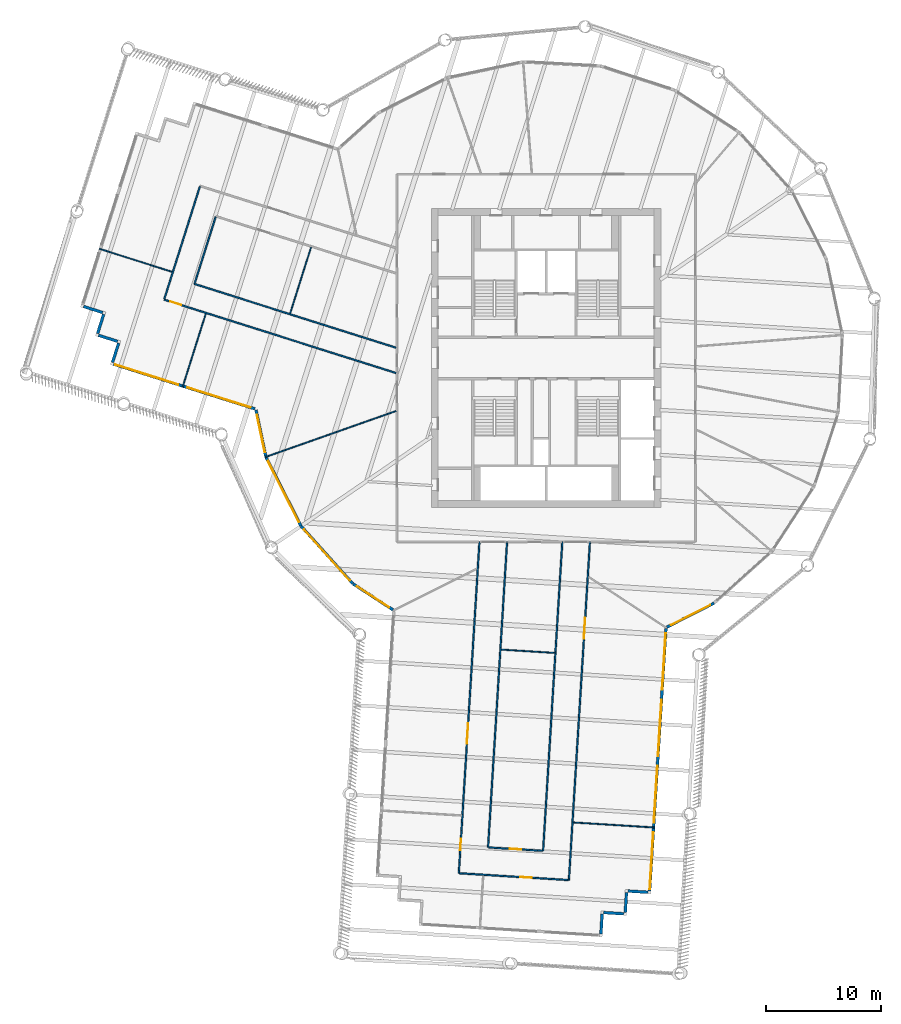
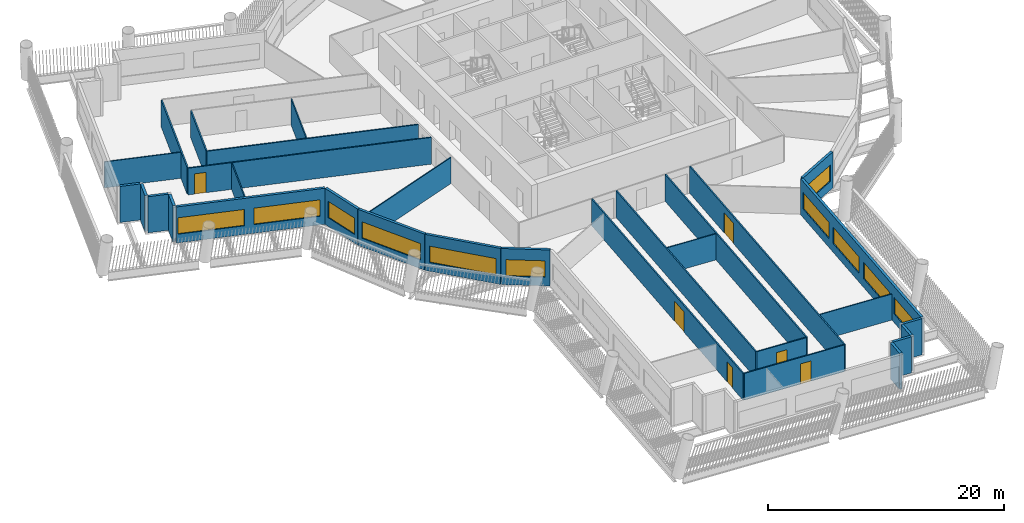
# One storey, part 3 of 15: 31 walls, 11 windows, 6 doors, 17 openings.
"""IFC4 building model written with IfcOpenShell, lengths in metres."""

import ifcopenshell
import ifcopenshell.guid

model = None  # the IFC model being written
_history = None  # IfcOwnerHistory: only IFC2X3 demands one
_inside = {}  # id of a spatial element -> (the spatial element, [elements in it])
_under = {}  # id of a project, library or spatial element -> (it, [spatial elements below it])
_declared = {}  # id of a project -> (the project, [libraries it declares])
_typed = {}  # id of a type object -> (the type object, [elements of that type])
_made_of = {}  # id of a material, layer set ... -> (it, [elements and type objects made of it])


def new_model(schema):
    """Start an empty IFC model of exactly this schema.

    Asked for "IFC4X3", IfcOpenShell would pick the latest addendum, in which some entities
    have other attributes; the version numbers below select the first issue.
    IFC2X3 requires an IfcOwnerHistory on every rooted entity: one is made here for all.
    """
    global model, _history
    if schema == "IFC4X3":
        model = ifcopenshell.file(schema_version=(4, 3, 0, 0))
    else:
        model = ifcopenshell.file(schema=schema)
    _inside.clear()
    _under.clear()
    _declared.clear()
    _typed.clear()
    _made_of.clear()
    _history = None
    if model.schema == "IFC2X3":
        org = make("IfcOrganization", Name="unknown")
        user = make(
            "IfcPersonAndOrganization",
            ThePerson=make("IfcPerson", FamilyName="unknown"),
            TheOrganization=org,
        )
        app = make(
            "IfcApplication",
            ApplicationDeveloper=org,
            Version="unknown",
            ApplicationFullName="unknown",
            ApplicationIdentifier="unknown",
        )
        _history = make(
            "IfcOwnerHistory",
            OwningUser=user,
            OwningApplication=app,
            ChangeAction="ADDED",
            CreationDate=0,
        )
    return model


def make(cls, **values):
    """One entity of the class cls with the attributes given. An attribute that is None is left unset."""
    return model.create_entity(
        cls, **{name: value for name, value in values.items() if value is not None}
    )


def rooted(cls, **values):
    """An entity with a GlobalId (a new one), such as an element, a storey or a relation."""
    return make(cls, GlobalId=ifcopenshell.guid.new(), OwnerHistory=_history, **values)


def si_unit(unit_type, name, prefix=None):
    """IfcSIUnit, for example si_unit("LENGTHUNIT", "METRE", prefix="MILLI")."""
    return make("IfcSIUnit", UnitType=unit_type, Prefix=prefix, Name=name)


def assignment(units):
    """IfcUnitAssignment: the units of a project."""
    return None if units is None else make("IfcUnitAssignment", Units=units)


def point(xyz):
    """IfcCartesianPoint."""
    return None if xyz is None else make("IfcCartesianPoint", Coordinates=xyz)


def direction(xyz):
    """IfcDirection."""
    return None if xyz is None else make("IfcDirection", DirectionRatios=xyz)


def frame(location, z_axis=None, x_axis=None):
    """IfcAxis2Placement3D, a coordinate frame: its origin and axes. An axis left out is left unset."""
    return make(
        "IfcAxis2Placement3D",
        Location=point(location),
        Axis=direction(z_axis),
        RefDirection=direction(x_axis),
    )


def frame_2d(location, x_axis=None):
    """IfcAxis2Placement2D, a coordinate frame in the plane: its origin and x axis."""
    return make(
        "IfcAxis2Placement2D", Location=point(location), RefDirection=direction(x_axis)
    )


def origin():
    """The frame at (0, 0, 0) with its axes left unset."""
    return frame((0.0, 0.0, 0.0))


def place(relative_to, where):
    """IfcLocalPlacement: puts the frame where relative to a parent placement (None: the world)."""
    return make(
        "IfcLocalPlacement", PlacementRelTo=relative_to, RelativePlacement=where
    )


def context(
    kind, dimensions, precision=None, world=None, true_north=None, identifier=None
):
    """IfcGeometricRepresentationContext, for example the 3D "Model" context."""
    return make(
        "IfcGeometricRepresentationContext",
        ContextIdentifier=identifier,
        ContextType=kind,
        CoordinateSpaceDimension=dimensions,
        Precision=precision,
        WorldCoordinateSystem=world,
        TrueNorth=true_north,
    )


def subcontext(parent, identifier, kind, view, scale=None):
    """IfcGeometricRepresentationSubContext, for example "Body" below "Model"."""
    return make(
        "IfcGeometricRepresentationSubContext",
        ContextIdentifier=identifier,
        ContextType=kind,
        ParentContext=parent,
        TargetScale=scale,
        TargetView=view,
    )


def project(units=None, contexts=None):
    """IfcProject with its units and contexts."""
    return rooted(
        "IfcProject",
        Name="project",
        RepresentationContexts=contexts,
        UnitsInContext=assignment(units),
    )


def spatial(cls, under=None, at=None, **own):
    """A site, building, storey or space (cls), placed at a placement, below another one or the project."""
    s = rooted(cls, ObjectPlacement=at, **own)
    if under is not None:
        _under.setdefault(under.id(), (under, []))[1].append(s)
    return s


def profile(cls, at=None, kind="AREA", **sizes):
    """A parametric profile (cls). Its sizes go by their IFC names, for example OverallWidth=200.0."""
    return make(cls, ProfileType=kind, Position=at, **sizes)


def rectangle(**sizes):
    """IfcRectangleProfileDef."""
    return profile("IfcRectangleProfileDef", **sizes)


def extrude(swept, where, along, depth):
    """IfcExtrudedAreaSolid: the profile swept, set in the frame where, extruded along a direction by depth."""
    return make(
        "IfcExtrudedAreaSolid",
        SweptArea=swept,
        Position=where,
        ExtrudedDirection=direction(along),
        Depth=depth,
    )


def shape(context_of_items, identifier, shape_type, items):
    """IfcShapeRepresentation: the items that make up one representation, for example the "Body"."""
    return make(
        "IfcShapeRepresentation",
        ContextOfItems=context_of_items,
        RepresentationIdentifier=identifier,
        RepresentationType=shape_type,
        Items=items,
    )


def material(Name=None, Category=None):
    """IfcMaterial."""
    return make("IfcMaterial", Name=Name, Category=Category)


def layer(
    of_material, thickness, ventilated=None, Name=None, Category=None, Priority=None
):
    """IfcMaterialLayer: one layer of a wall or slab, of a material (None: an air gap)."""
    return make(
        "IfcMaterialLayer",
        Material=of_material,
        LayerThickness=thickness,
        IsVentilated=ventilated,
        Name=Name,
        Category=Category,
        Priority=Priority,
    )


def layer_set(layers, Name=None):
    """IfcMaterialLayerSet."""
    return make("IfcMaterialLayerSet", MaterialLayers=layers, LayerSetName=Name)


def made_of(thing, what):
    """Note that an element or type object is made of a material, layer set ...; save() writes the relation."""
    if what is not None:
        _made_of.setdefault(what.id(), (what, []))[1].append(thing)
    return thing


def type_object(cls, material=None, **own):
    """A type object (cls), such as IfcWallType, which elements share."""
    return made_of(rooted(cls, **own), material)


def element(
    cls,
    number,
    at=None,
    inside=None,
    cuts=None,
    type_object=None,
    material=None,
    context=None,
    identifier="Body",
    shape_type=None,
    held_by="IfcProductDefinitionShape",
    body=None,
    shapes=None,
    **own,
):
    """One element of the class cls, such as IfcWall. Its Tag is "e" and its number.

    at: its placement. inside: the storey or other place that contains it. cuts: it is an
    opening in that element (IfcRelVoidsElement). A single representation is given by context,
    identifier, shape_type and body (its items); several are given by shapes. held_by: the class
    of the entity that holds the representations. save() writes the other relations.
    """
    e = rooted(cls, Tag="e%d" % number, ObjectPlacement=at, **own)
    if body is not None:
        shapes = [shape(context, identifier, shape_type, body)]
    if shapes is not None:
        e.Representation = make(held_by, Representations=shapes)
    if inside is not None:
        _inside.setdefault(inside.id(), (inside, []))[1].append(e)
    if cuts is not None:
        rooted(
            "IfcRelVoidsElement", RelatingBuildingElement=cuts, RelatedOpeningElement=e
        )
    if type_object is not None:
        _typed.setdefault(type_object.id(), (type_object, []))[1].append(e)
    return made_of(e, material)


def fill(opening, filler):
    """IfcRelFillsElement: the door or window that sits in an opening."""
    return rooted(
        "IfcRelFillsElement",
        RelatingOpeningElement=opening,
        RelatedBuildingElement=filler,
    )


def aggregate(whole, parts):
    """IfcRelAggregates: a whole, such as a stair, and the parts it consists of."""
    return rooted("IfcRelAggregates", RelatingObject=whole, RelatedObjects=parts)


def save(model, path):
    """Write the relations noted so far, then the file.

    IfcRelAggregates (storeys below a building ...), IfcRelContainedInSpatialStructure (elements
    in a storey), IfcRelDefinesByType, IfcRelAssociatesMaterial and IfcRelDeclares: one each for
    every whole, place, type object, material and project.
    """
    for whole, parts in _under.values():
        aggregate(whole, parts)
    for where, things in _inside.values():
        rooted(
            "IfcRelContainedInSpatialStructure",
            RelatedElements=things,
            RelatingStructure=where,
        )
    for kind, things in _typed.values():
        rooted("IfcRelDefinesByType", RelatedObjects=things, RelatingType=kind)
    for what, things in _made_of.values():
        rooted("IfcRelAssociatesMaterial", RelatedObjects=things, RelatingMaterial=what)
    for by, libraries in _declared.values():
        rooted("IfcRelDeclares", RelatingContext=by, RelatedDefinitions=libraries)
    model.write(path)


model = new_model("IFC4")

# Units and contexts
model_context = context("Model", 3, precision=1e-05, world=origin(), true_north=direction((0.0, 1.0)))
body_context = subcontext(model_context, "Body", "Model", "MODEL_VIEW")
ifc_project = project(units=[si_unit("LENGTHUNIT", "METRE"), si_unit("AREAUNIT", "SQUARE_METRE"), si_unit("VOLUMEUNIT", "CUBIC_METRE"), si_unit("PLANEANGLEUNIT", "RADIAN"), si_unit("MASSUNIT", "GRAM", prefix="KILO")], contexts=[model_context])

# Site, building, storey
site_placement = place(None, origin())
site = spatial("IfcSite", under=ifc_project, at=site_placement, CompositionType="ELEMENT")
building_placement = place(site_placement, origin())
building = spatial("IfcBuilding", under=site, at=building_placement, Name="Tarsis Ring Headquarters", CompositionType="ELEMENT")
storey_placement = place(building_placement, frame((0.0, 0.0, 212.10009765625)))
storey = spatial("IfcBuildingStorey", under=building, at=storey_placement, Name="L49", CompositionType="ELEMENT", Elevation=212.10009765625)

# Walls
ifc_material_1 = material(Name="Gypsum board on steel studs", Category="steel")
ifc_layer_1 = layer(ifc_material_1, 0.10009765625)
ifc_layer_set_1 = layer_set([ifc_layer_1], Name="FL partition 100 unrated")
wall_type_1 = type_object("IfcWallType", Name="FL partition 100 unrated", PredefinedType="PARTITIONING", material=ifc_layer_set_1)
wall_1_placement = place(storey_placement, frame((-24.468505859375, -8.635986328125, 0.0), z_axis=(0.0, 0.0, 1.0), x_axis=(0.942992571906, 0.332813775753, 0.0)))
element("IfcWall", 1, at=wall_1_placement, inside=storey, type_object=wall_type_1, Name="Partition PW3", PredefinedType="PARTITIONING", context=body_context, shape_type="SweptSolid", body=[
    extrude(rectangle(XDim=12.081787109375, YDim=0.10009765625, at=frame_2d((6.041015625, 0.0))), origin(), (0.0, 0.0, 1.0), 2.699951171875),
])
wall_2_placement = place(storey_placement, frame((2.36376953125, -40.434814453125, 0.0), z_axis=(0.0, 0.0, 1.0), x_axis=(0.99806971496, -0.062103494909, 0.0)))
element("IfcWall", 2, at=wall_2_placement, inside=storey, type_object=wall_type_1, Name="Partition PW3", PredefinedType="PARTITIONING", context=body_context, shape_type="SweptSolid", body=[
    extrude(rectangle(XDim=7.080078125, YDim=0.10009765625, at=frame_2d((3.5400390625, 0.0))), origin(), (0.0, 0.0, 1.0), 2.699951171875),
])
wall_3_placement = place(storey_placement, frame((-31.64501953125, -2.52001953125, 0.0), z_axis=(0.0, 0.0, 1.0), x_axis=(0.301728626373, 0.953393851473, 0.0)))
element("IfcWall", 3, at=wall_3_placement, inside=storey, type_object=wall_type_1, Name="Partition PW3", PredefinedType="PARTITIONING", context=body_context, shape_type="SweptSolid", body=[
    extrude(rectangle(XDim=6.68994140625, YDim=0.10009765625, at=frame_2d((3.344970703125, 0.0))), origin(), (0.0, 0.0, 1.0), 2.699951171875),
])
wall_4_placement = place(storey_placement, frame((-38.893798828125, 9.507568359375, 0.0), z_axis=(0.0, 0.0, 1.0), x_axis=(0.953393536482, -0.301729621673, 0.0)))
element("IfcWall", 4, at=wall_4_placement, inside=storey, type_object=wall_type_1, Name="Partition PW3", PredefinedType="PARTITIONING", context=body_context, shape_type="SweptSolid", body=[
    extrude(rectangle(XDim=6.639892578125, YDim=0.10009765625, at=frame_2d((3.31982421875, 0.0))), origin(), (0.0, 0.0, 1.0), 2.699951171875),
])
wall_5_placement = place(storey_placement, frame((-22.286376953125, 3.885009765625, 0.0), z_axis=(0.0, 0.0, 1.0), x_axis=(0.301700054914, 0.953402893254, 0.0)))
element("IfcWall", 5, at=wall_5_placement, inside=storey, type_object=wall_type_1, Name="Partition PW3", PredefinedType="PARTITIONING", context=body_context, shape_type="SweptSolid", body=[
    extrude(rectangle(XDim=6.0400390625, YDim=0.10009765625, at=frame_2d((3.02001953125, 0.0))), origin(), (0.0, 0.0, 1.0), 2.699951171875),
])
wall_6_placement = place(storey_placement, frame((-3.913818359375, -25.385986328125, 0.0), z_axis=(0.0, 0.0, 1.0), x_axis=(0.998070882764, -0.062084724203, 0.0)))
element("IfcWall", 6, at=wall_6_placement, inside=storey, type_object=wall_type_1, Name="Partition PW3", PredefinedType="PARTITIONING", context=body_context, shape_type="SweptSolid", body=[
    extrude(rectangle(XDim=4.659912109375, YDim=0.10009765625, at=frame_2d((2.330078125, 0.0))), origin(), (0.0, 0.0, 1.0), 2.699951171875),
])

# Wall, opening, door
ifc_layer_2 = layer(ifc_material_1, 0.125)
ifc_layer_set_2 = layer_set([ifc_layer_2], Name="FL partition 125 EI 60 H2770")
wall_type_2 = type_object("IfcWallType", Name="FL partition 125 EI 60 H2770", PredefinedType="PARTITIONING", material=ifc_layer_set_2)
wall_7_placement = place(storey_placement, frame((1.981689453125, -45.45068359375, 0.0), z_axis=(0.0, 0.0, 1.0), x_axis=(0.062094977931, 0.99807024488, 0.0)))
wall_7 = element("IfcWall", 7, at=wall_7_placement, inside=storey, type_object=wall_type_2, Name="Partition PW1", PredefinedType="PARTITIONING", context=body_context, shape_type="SweptSolid", body=[
    extrude(rectangle(XDim=29.507568359375, YDim=0.125, at=frame_2d((14.75390625, 0.0))), origin(), (0.0, 0.0, 1.0), 2.77001953125),
])
opening_1_placement = place(wall_7_placement, frame((21.06494140625, 0.0, 0.0)))
opening_1 = element("IfcOpeningElement", 8, at=opening_1_placement, cuts=wall_7, Name="Opening D49.11", PredefinedType="OPENING", context=body_context, shape_type="SweptSolid", body=[
    extrude(rectangle(XDim=1.800048828125, YDim=2.10009765625, at=frame_2d((0.89990234375, 1.050048828125))), frame((0.0, 0.072509765625, 0.0), z_axis=(0.0, -1.0, 0.0), x_axis=(1.0, 0.0, 0.0)), (0.0, 0.0, 1.0), 0.14501953125),
])
ifc_material_2 = material(Name="Fire-rated timber door leaf in steel frame", Category="steel")
door_type_1 = type_object("IfcDoorType", Name="FL door FD60-1800", OperationType="DOUBLE_DOOR_SINGLE_SWING", PredefinedType="DOOR", material=ifc_material_2)
door_1_placement = place(opening_1_placement, origin())
door_1 = element("IfcDoor", 9, at=door_1_placement, inside=storey, type_object=door_type_1, Name="Door D49.11", OperationType="DOUBLE_DOOR_SINGLE_SWING", OverallHeight=2.10009765625, OverallWidth=1.800048828125, PredefinedType="DOOR", context=body_context, shape_type="SweptSolid", body=[
    extrude(rectangle(XDim=1.800048828125, YDim=2.10009765625, at=frame_2d((0.89990234375, 1.050048828125))), frame((0.0, 0.02490234375, 0.0), z_axis=(0.0, -1.0, 0.0), x_axis=(1.0, 0.0, 0.0)), (0.0, 0.0, 1.0), 0.050048828125),
])
fill(opening_1, door_1)

# Wall, openings, doors
wall_8_placement = place(storey_placement, frame((-7.599853515625, -44.854736328125, 0.0), z_axis=(0.0, 0.0, 1.0), x_axis=(0.062093858335, 0.998070314536, 0.0)))
wall_8 = element("IfcWall", 10, at=wall_8_placement, inside=storey, type_object=wall_type_2, Name="Partition PW1", PredefinedType="PARTITIONING", context=body_context, shape_type="SweptSolid", body=[
    extrude(rectangle(XDim=28.91064453125, YDim=0.125, at=frame_2d((14.455322265625, 0.0))), origin(), (0.0, 0.0, 1.0), 2.77001953125),
])
opening_2_placement = place(wall_8_placement, frame((2.0166015625, 0.0, 0.0)))
opening_2 = element("IfcOpeningElement", 11, at=opening_2_placement, cuts=wall_8, Name="Opening D49.13", PredefinedType="OPENING", context=body_context, shape_type="SweptSolid", body=[
    extrude(rectangle(XDim=1.0, YDim=2.10009765625, at=frame_2d((0.5, 1.050048828125))), frame((0.0, 0.072509765625, 0.0), z_axis=(0.0, -1.0, 0.0), x_axis=(1.0, 0.0, 0.0)), (0.0, 0.0, 1.0), 0.14501953125),
])
opening_3_placement = place(wall_8_placement, frame((11.2783203125, 0.0, 0.0)))
opening_3 = element("IfcOpeningElement", 12, at=opening_3_placement, cuts=wall_8, Name="Opening D49.14", PredefinedType="OPENING", context=body_context, shape_type="SweptSolid", body=[
    extrude(rectangle(XDim=1.800048828125, YDim=2.10009765625, at=frame_2d((0.89990234375, 1.050048828125))), frame((0.0, 0.072509765625, 0.0), z_axis=(0.0, -1.0, 0.0), x_axis=(1.0, 0.0, 0.0)), (0.0, 0.0, 1.0), 0.14501953125),
])
door_type_2 = type_object("IfcDoorType", Name="FL door FD60-1000", OperationType="NOTDEFINED", PredefinedType="DOOR", material=ifc_material_2)
door_2_placement = place(opening_2_placement, origin())
door_2 = element("IfcDoor", 13, at=door_2_placement, inside=storey, type_object=door_type_2, Name="Door D49.13", OperationType="SINGLE_SWING_RIGHT", OverallHeight=2.10009765625, OverallWidth=1.0, PredefinedType="DOOR", context=body_context, shape_type="SweptSolid", body=[
    extrude(rectangle(XDim=1.0, YDim=2.10009765625, at=frame_2d((0.5, 1.050048828125))), frame((0.0, 0.02490234375, 0.0), z_axis=(0.0, -1.0, 0.0), x_axis=(1.0, 0.0, 0.0)), (0.0, 0.0, 1.0), 0.050048828125),
])
fill(opening_2, door_2)
door_3_placement = place(opening_3_placement, origin())
door_3 = element("IfcDoor", 14, at=door_3_placement, inside=storey, type_object=door_type_1, Name="Door D49.14", OperationType="DOUBLE_DOOR_SINGLE_SWING", OverallHeight=2.10009765625, OverallWidth=1.800048828125, PredefinedType="DOOR", context=body_context, shape_type="SweptSolid", body=[
    extrude(rectangle(XDim=1.800048828125, YDim=2.10009765625, at=frame_2d((0.89990234375, 1.050048828125))), frame((0.0, 0.02490234375, 0.0), z_axis=(0.0, -1.0, 0.0), x_axis=(1.0, 0.0, 0.0)), (0.0, 0.0, 1.0), 0.050048828125),
])
fill(opening_3, door_3)

# Walls
wall_9_placement = place(storey_placement, frame((-0.2646484375, -42.906494140625, 0.0), z_axis=(0.0, 0.0, 1.0), x_axis=(0.062089050143, 0.99807061366, 0.0)))
element("IfcWall", 15, at=wall_9_placement, inside=storey, type_object=wall_type_2, Name="Partition PW1", PredefinedType="PARTITIONING", context=body_context, shape_type="SweptSolid", body=[
    extrude(rectangle(XDim=26.95849609375, YDim=0.125, at=frame_2d((13.479248046875, 0.0))), origin(), (0.0, 0.0, 1.0), 2.77001953125),
])
wall_10_placement = place(storey_placement, frame((-5.055419921875, -42.6083984375, 0.0), z_axis=(0.0, 0.0, 1.0), x_axis=(0.062088660449, 0.998070637903, 0.0)))
element("IfcWall", 16, at=wall_10_placement, inside=storey, type_object=wall_type_2, Name="Partition PW1", PredefinedType="PARTITIONING", context=body_context, shape_type="SweptSolid", body=[
    extrude(rectangle(XDim=26.659912109375, YDim=0.125, at=frame_2d((13.330078125, 0.0))), origin(), (0.0, 0.0, 1.0), 2.77001953125),
])

# Wall, opening, door
wall_11_placement = place(storey_placement, frame((-33.2568359375, 5.08056640625, 0.0), z_axis=(0.0, 0.0, 1.0), x_axis=(0.95339980295, -0.301709820414, 0.0)))
wall_11 = element("IfcWall", 17, at=wall_11_placement, inside=storey, type_object=wall_type_2, Name="Partition PW1", PredefinedType="PARTITIONING", context=body_context, shape_type="SweptSolid", body=[
    extrude(rectangle(XDim=21.166748046875, YDim=0.125, at=frame_2d((10.58349609375, 0.0))), origin(), (0.0, 0.0, 1.0), 2.77001953125),
])
opening_4_placement = place(wall_11_placement, frame((0.550048828125, 0.0, 0.0)))
opening_4 = element("IfcOpeningElement", 18, at=opening_4_placement, cuts=wall_11, Name="Opening D49.01", PredefinedType="OPENING", context=body_context, shape_type="SweptSolid", body=[
    extrude(rectangle(XDim=1.0, YDim=2.10009765625, at=frame_2d((0.5, 1.050048828125))), frame((0.0, 0.072509765625, 0.0), z_axis=(0.0, -1.0, 0.0), x_axis=(1.0, 0.0, 0.0)), (0.0, 0.0, 1.0), 0.14501953125),
])
door_4_placement = place(opening_4_placement, origin())
door_4 = element("IfcDoor", 19, at=door_4_placement, inside=storey, type_object=door_type_2, Name="Door D49.01", OperationType="SINGLE_SWING_RIGHT", OverallHeight=2.10009765625, OverallWidth=1.0, PredefinedType="DOOR", context=body_context, shape_type="SweptSolid", body=[
    extrude(rectangle(XDim=1.0, YDim=2.10009765625, at=frame_2d((0.5, 1.050048828125))), frame((0.0, 0.02490234375, 0.0), z_axis=(0.0, -1.0, 0.0), x_axis=(1.0, 0.0, 0.0)), (0.0, 0.0, 1.0), 0.050048828125),
])
fill(opening_4, door_4)

# Walls
wall_12_placement = place(storey_placement, frame((-30.62109375, 6.44921875, 0.0), z_axis=(0.0, 0.0, 1.0), x_axis=(0.953398019732, -0.301715455307, 0.0)))
element("IfcWall", 20, at=wall_12_placement, inside=storey, type_object=wall_type_2, Name="Partition PW1", PredefinedType="PARTITIONING", context=body_context, shape_type="SweptSolid", body=[
    extrude(rectangle(XDim=18.40234375, YDim=0.125, at=frame_2d((9.201171875, 0.0))), origin(), (0.0, 0.0, 1.0), 2.77001953125),
])
wall_13_placement = place(storey_placement, frame((-33.23876953125, 5.1376953125, 0.0), z_axis=(0.0, 0.0, 1.0), x_axis=(0.301699582658, 0.953403042697, 0.0)))
element("IfcWall", 21, at=wall_13_placement, inside=storey, type_object=wall_type_2, Name="Partition PW1", PredefinedType="PARTITIONING", context=body_context, shape_type="SweptSolid", body=[
    extrude(rectangle(XDim=10.260009765625, YDim=0.125, at=frame_2d((5.1298828125, 0.0))), origin(), (0.0, 0.0, 1.0), 2.77001953125),
])

# Wall, opening, door
wall_14_placement = place(storey_placement, frame((-7.5400390625, -44.8583984375, 0.0), z_axis=(0.0, 0.0, 1.0), x_axis=(0.998070474367, -0.062091289219, 0.0)))
wall_14 = element("IfcWall", 22, at=wall_14_placement, inside=storey, type_object=wall_type_2, Name="Partition PW1", PredefinedType="PARTITIONING", context=body_context, shape_type="SweptSolid", body=[
    extrude(rectangle(XDim=9.47998046875, YDim=0.125, at=frame_2d((4.739990234375, 0.0))), origin(), (0.0, 0.0, 1.0), 2.77001953125),
])
opening_5_placement = place(wall_14_placement, frame((5.306640625, 0.0, 0.0)))
opening_5 = element("IfcOpeningElement", 23, at=opening_5_placement, cuts=wall_14, Name="Opening D49.12", PredefinedType="OPENING", context=body_context, shape_type="SweptSolid", body=[
    extrude(rectangle(XDim=1.0, YDim=2.10009765625, at=frame_2d((0.5, 1.050048828125))), frame((0.0, 0.072509765625, 0.0), z_axis=(0.0, -1.0, 0.0), x_axis=(1.0, 0.0, 0.0)), (0.0, 0.0, 1.0), 0.14501953125),
])
door_5_placement = place(opening_5_placement, origin())
door_5 = element("IfcDoor", 24, at=door_5_placement, inside=storey, type_object=door_type_2, Name="Door D49.12", OperationType="SINGLE_SWING_LEFT", OverallHeight=2.10009765625, OverallWidth=1.0, PredefinedType="DOOR", context=body_context, shape_type="SweptSolid", body=[
    extrude(rectangle(XDim=1.0, YDim=2.10009765625, at=frame_2d((0.5, 1.050048828125))), frame((0.0, 0.02490234375, 0.0), z_axis=(0.0, -1.0, 0.0), x_axis=(1.0, 0.0, 0.0)), (0.0, 0.0, 1.0), 0.050048828125),
])
fill(opening_5, door_5)

# Wall
wall_15_placement = place(storey_placement, frame((-30.60302734375, 6.50634765625, 0.0), z_axis=(0.0, 0.0, 1.0), x_axis=(0.301675052073, 0.95341080493, 0.0)))
element("IfcWall", 25, at=wall_15_placement, inside=storey, type_object=wall_type_2, Name="Partition PW1", PredefinedType="PARTITIONING", context=body_context, shape_type="SweptSolid", body=[
    extrude(rectangle(XDim=6.059814453125, YDim=0.125, at=frame_2d((3.02978515625, 0.0))), origin(), (0.0, 0.0, 1.0), 2.77001953125),
])

# Wall, opening, door
wall_16_placement = place(storey_placement, frame((-4.99560546875, -42.612060546875, 0.0), z_axis=(0.0, 0.0, 1.0), x_axis=(0.998071208552, -0.062079486629, 0.0)))
wall_16 = element("IfcWall", 26, at=wall_16_placement, inside=storey, type_object=wall_type_2, Name="Partition PW1", PredefinedType="PARTITIONING", context=body_context, shape_type="SweptSolid", body=[
    extrude(rectangle(XDim=4.679931640625, YDim=0.125, at=frame_2d((2.33984375, 0.0))), origin(), (0.0, 0.0, 1.0), 2.77001953125),
])
opening_6_placement = place(wall_16_placement, frame((1.840087890625, 0.0, 0.0)))
opening_6 = element("IfcOpeningElement", 27, at=opening_6_placement, cuts=wall_16, Name="Opening D49.20", PredefinedType="OPENING", context=body_context, shape_type="SweptSolid", body=[
    extrude(rectangle(XDim=1.0, YDim=2.10009765625, at=frame_2d((0.5, 1.050048828125))), frame((0.0, 0.072509765625, 0.0), z_axis=(0.0, -1.0, 0.0), x_axis=(1.0, 0.0, 0.0)), (0.0, 0.0, 1.0), 0.14501953125),
])
door_6_placement = place(opening_6_placement, origin())
door_6 = element("IfcDoor", 28, at=door_6_placement, inside=storey, type_object=door_type_2, Name="Door D49.20", OperationType="SINGLE_SWING_LEFT", OverallHeight=2.10009765625, OverallWidth=1.0, PredefinedType="DOOR", context=body_context, shape_type="SweptSolid", body=[
    extrude(rectangle(XDim=1.0, YDim=2.10009765625, at=frame_2d((0.5, 1.050048828125))), frame((0.0, 0.02490234375, 0.0), z_axis=(0.0, -1.0, 0.0), x_axis=(1.0, 0.0, 0.0)), (0.0, 0.0, 1.0), 0.050048828125),
])
fill(opening_6, door_6)

# Wall, openings, windows
ifc_material_3 = material(Name="Terracotta clad insulated panel wall", Category="masonry")
ifc_layer_3 = layer(ifc_material_3, 0.25)
ifc_layer_set_3 = layer_set([ifc_layer_3], Name="Facade wall terracotta panel 250")
wall_type_3 = type_object("IfcWallType", Name="Facade wall terracotta panel 250", PredefinedType="STANDARD", material=ifc_layer_set_3)
wall_17_placement = place(storey_placement, frame((-37.666748046875, -0.53564453125, 0.0), z_axis=(0.0, 0.0, 1.0), x_axis=(0.953400028138, -0.301709108821, 0.0)))
wall_17 = element("IfcWall", 29, at=wall_17_placement, inside=storey, type_object=wall_type_3, Name="External wall L49-01", PredefinedType="STANDARD", context=body_context, shape_type="SweptSolid", body=[
    extrude(rectangle(XDim=12.921875, YDim=0.25, at=frame_2d((6.4609375, 0.0))), origin(), (0.0, 0.0, 1.0), 3.739990234375),
])
opening_7_placement = place(wall_17_placement, frame((0.16796875, 0.0, 0.89990234375)))
opening_7 = element("IfcOpeningElement", 30, at=opening_7_placement, cuts=wall_17, Name="Opening WN06", PredefinedType="OPENING", context=body_context, shape_type="SweptSolid", body=[
    extrude(rectangle(XDim=5.75, YDim=1.699951171875, at=frame_2d((2.875, 0.85009765625))), frame((0.0, 0.135009765625, 0.0), z_axis=(0.0, -1.0, 0.0), x_axis=(1.0, 0.0, 0.0)), (0.0, 0.0, 1.0), 0.27001953125),
])
opening_8_placement = place(wall_17_placement, frame((6.75390625, 0.0, 0.89990234375)))
opening_8 = element("IfcOpeningElement", 31, at=opening_8_placement, cuts=wall_17, Name="Opening WN06", PredefinedType="OPENING", context=body_context, shape_type="SweptSolid", body=[
    extrude(rectangle(XDim=5.75, YDim=1.699951171875, at=frame_2d((2.875, 0.85009765625))), frame((0.0, 0.135009765625, 0.0), z_axis=(0.0, -1.0, 0.0), x_axis=(1.0, 0.0, 0.0)), (0.0, 0.0, 1.0), 0.27001953125),
])
ifc_material_4 = material(Name="Aluminium framed double glazing", Category="aluminium")
window_type_1 = type_object("IfcWindowType", Name="Facade window 5750 x 1700", PartitioningType="SINGLE_PANEL", PredefinedType="WINDOW", material=ifc_material_4)
window_1_placement = place(opening_7_placement, origin())
window_1 = element("IfcWindow", 32, at=window_1_placement, inside=storey, type_object=window_type_1, Name="Window L49-01.1", OverallHeight=1.699951171875, OverallWidth=5.75, PartitioningType="SINGLE_PANEL", PredefinedType="WINDOW", context=body_context, shape_type="SweptSolid", body=[
    extrude(rectangle(XDim=5.75, YDim=1.699951171875, at=frame_2d((2.875, 0.85009765625))), frame((0.0, 0.030029296875, 0.0), z_axis=(0.0, -1.0, 0.0), x_axis=(1.0, 0.0, 0.0)), (0.0, 0.0, 1.0), 0.06005859375),
])
fill(opening_7, window_1)
window_2_placement = place(opening_8_placement, origin())
window_2 = element("IfcWindow", 33, at=window_2_placement, inside=storey, type_object=window_type_1, Name="Window L49-01.2", OverallHeight=1.699951171875, OverallWidth=5.75, PartitioningType="SINGLE_PANEL", PredefinedType="WINDOW", context=body_context, shape_type="SweptSolid", body=[
    extrude(rectangle(XDim=5.75, YDim=1.699951171875, at=frame_2d((2.875, 0.85009765625))), frame((0.0, 0.030029296875, 0.0), z_axis=(0.0, -1.0, 0.0), x_axis=(1.0, 0.0, 0.0)), (0.0, 0.0, 1.0), 0.06005859375),
])
fill(opening_8, window_2)

# Wall, opening, window
wall_18_placement = place(storey_placement, frame((-25.262451171875, -4.527587890625, 0.0), z_axis=(0.0, 0.0, 1.0), x_axis=(0.206877522827, -0.978366848656, 0.0)))
wall_18 = element("IfcWall", 34, at=wall_18_placement, inside=storey, type_object=wall_type_3, Name="External wall L49-02", PredefinedType="STANDARD", context=body_context, shape_type="SweptSolid", body=[
    extrude(rectangle(XDim=4.157470703125, YDim=0.25, at=frame_2d((2.07861328125, 0.0))), origin(), (0.0, 0.0, 1.0), 3.739990234375),
])
opening_9_placement = place(wall_18_placement, frame((0.420166015625, 0.0, 0.89990234375)))
opening_9 = element("IfcOpeningElement", 35, at=opening_9_placement, cuts=wall_18, Name="Opening WN01", PredefinedType="OPENING", context=body_context, shape_type="SweptSolid", body=[
    extrude(rectangle(XDim=3.35009765625, YDim=1.699951171875, at=frame_2d((1.675048828125, 0.85009765625))), frame((0.0, 0.135009765625, 0.0), z_axis=(0.0, -1.0, 0.0), x_axis=(1.0, 0.0, 0.0)), (0.0, 0.0, 1.0), 0.27001953125),
])
window_type_2 = type_object("IfcWindowType", Name="Facade window 3350 x 1700", PartitioningType="SINGLE_PANEL", PredefinedType="WINDOW", material=ifc_material_4)
window_3_placement = place(opening_9_placement, origin())
window_3 = element("IfcWindow", 36, at=window_3_placement, inside=storey, type_object=window_type_2, Name="Window L49-02.1", OverallHeight=1.699951171875, OverallWidth=3.35009765625, PartitioningType="SINGLE_PANEL", PredefinedType="WINDOW", context=body_context, shape_type="SweptSolid", body=[
    extrude(rectangle(XDim=3.35009765625, YDim=1.699951171875, at=frame_2d((1.675048828125, 0.85009765625))), frame((0.0, 0.030029296875, 0.0), z_axis=(0.0, -1.0, 0.0), x_axis=(1.0, 0.0, 0.0)), (0.0, 0.0, 1.0), 0.06005859375),
])
fill(opening_9, window_3)

wall_19_placement = place(storey_placement, frame((-24.391357421875, -8.6259765625, 0.0), z_axis=(0.0, 0.0, 1.0), x_axis=(0.453044642633, -0.891487830417, 0.0)))
wall_19 = element("IfcWall", 37, at=wall_19_placement, inside=storey, type_object=wall_type_3, Name="External wall L49-03", PredefinedType="STANDARD", context=body_context, shape_type="SweptSolid", body=[
    extrude(rectangle(XDim=6.7216796875, YDim=0.25, at=frame_2d((3.36083984375, 0.0))), origin(), (0.0, 0.0, 1.0), 3.739990234375),
])
opening_10_placement = place(wall_19_placement, frame((0.3857421875, 0.0, 0.89990234375)))
opening_10 = element("IfcOpeningElement", 38, at=opening_10_placement, cuts=wall_19, Name="Opening WN07", PredefinedType="OPENING", context=body_context, shape_type="SweptSolid", body=[
    extrude(rectangle(XDim=5.949951171875, YDim=1.699951171875, at=frame_2d((2.97509765625, 0.85009765625))), frame((0.0, 0.135009765625, 0.0), z_axis=(0.0, -1.0, 0.0), x_axis=(1.0, 0.0, 0.0)), (0.0, 0.0, 1.0), 0.27001953125),
])
window_type_3 = type_object("IfcWindowType", Name="Facade window 5950 x 1700", PartitioningType="SINGLE_PANEL", PredefinedType="WINDOW", material=ifc_material_4)
window_4_placement = place(opening_10_placement, origin())
window_4 = element("IfcWindow", 39, at=window_4_placement, inside=storey, type_object=window_type_3, Name="Window L49-03.1", OverallHeight=1.699951171875, OverallWidth=5.949951171875, PartitioningType="SINGLE_PANEL", PredefinedType="WINDOW", context=body_context, shape_type="SweptSolid", body=[
    extrude(rectangle(XDim=5.949951171875, YDim=1.699951171875, at=frame_2d((2.97509765625, 0.85009765625))), frame((0.0, 0.030029296875, 0.0), z_axis=(0.0, -1.0, 0.0), x_axis=(1.0, 0.0, 0.0)), (0.0, 0.0, 1.0), 0.06005859375),
])
fill(opening_10, window_4)

wall_20_placement = place(storey_placement, frame((-21.32763671875, -14.64501953125, 0.0), z_axis=(0.0, 0.0, 1.0), x_axis=(0.668340385009, -0.743855583945, 0.0)))
wall_20 = element("IfcWall", 40, at=wall_20_placement, inside=storey, type_object=wall_type_3, Name="External wall L49-04", PredefinedType="STANDARD", context=body_context, shape_type="SweptSolid", body=[
    extrude(rectangle(XDim=6.721435546875, YDim=0.25, at=frame_2d((3.36083984375, 0.0))), origin(), (0.0, 0.0, 1.0), 3.739990234375),
])
opening_11_placement = place(wall_20_placement, frame((0.3857421875, 0.0, 0.89990234375)))
opening_11 = element("IfcOpeningElement", 41, at=opening_11_placement, cuts=wall_20, Name="Opening WN07", PredefinedType="OPENING", context=body_context, shape_type="SweptSolid", body=[
    extrude(rectangle(XDim=5.949951171875, YDim=1.699951171875, at=frame_2d((2.97509765625, 0.85009765625))), frame((0.0, 0.135009765625, 0.0), z_axis=(0.0, -1.0, 0.0), x_axis=(1.0, 0.0, 0.0)), (0.0, 0.0, 1.0), 0.27001953125),
])
window_5_placement = place(opening_11_placement, origin())
window_5 = element("IfcWindow", 42, at=window_5_placement, inside=storey, type_object=window_type_3, Name="Window L49-04.1", OverallHeight=1.699951171875, OverallWidth=5.949951171875, PartitioningType="SINGLE_PANEL", PredefinedType="WINDOW", context=body_context, shape_type="SweptSolid", body=[
    extrude(rectangle(XDim=5.949951171875, YDim=1.699951171875, at=frame_2d((2.97509765625, 0.85009765625))), frame((0.0, 0.030029296875, 0.0), z_axis=(0.0, -1.0, 0.0), x_axis=(1.0, 0.0, 0.0)), (0.0, 0.0, 1.0), 0.06005859375),
])
fill(opening_11, window_5)

wall_21_placement = place(storey_placement, frame((-16.810546875, -19.666015625, 0.0), z_axis=(0.0, 0.0, 1.0), x_axis=(0.838089245845, -0.545533148396, 0.0)))
wall_21 = element("IfcWall", 43, at=wall_21_placement, inside=storey, type_object=wall_type_3, Name="External wall L49-05", PredefinedType="STANDARD", context=body_context, shape_type="SweptSolid", body=[
    extrude(rectangle(XDim=4.157470703125, YDim=0.25, at=frame_2d((2.07861328125, 0.0))), origin(), (0.0, 0.0, 1.0), 3.739990234375),
])
opening_12_placement = place(wall_21_placement, frame((0.38720703125, 0.0, 0.89990234375)))
opening_12 = element("IfcOpeningElement", 44, at=opening_12_placement, cuts=wall_21, Name="Opening WN01", PredefinedType="OPENING", context=body_context, shape_type="SweptSolid", body=[
    extrude(rectangle(XDim=3.35009765625, YDim=1.699951171875, at=frame_2d((1.675048828125, 0.85009765625))), frame((0.0, 0.135009765625, 0.0), z_axis=(0.0, -1.0, 0.0), x_axis=(1.0, 0.0, 0.0)), (0.0, 0.0, 1.0), 0.27001953125),
])
window_6_placement = place(opening_12_placement, origin())
window_6 = element("IfcWindow", 45, at=window_6_placement, inside=storey, type_object=window_type_2, Name="Window L49-05.1", OverallHeight=1.699951171875, OverallWidth=3.35009765625, PartitioningType="SINGLE_PANEL", PredefinedType="WINDOW", context=body_context, shape_type="SweptSolid", body=[
    extrude(rectangle(XDim=3.35009765625, YDim=1.699951171875, at=frame_2d((1.675048828125, 0.85009765625))), frame((0.0, 0.030029296875, 0.0), z_axis=(0.0, -1.0, 0.0), x_axis=(1.0, 0.0, 0.0)), (0.0, 0.0, 1.0), 0.06005859375),
])
fill(opening_12, window_6)

# Walls
wall_22_placement = place(storey_placement, frame((4.770751953125, -50.14306640625, 0.0), z_axis=(0.0, 0.0, 1.0), x_axis=(0.062082973343, 0.998070991674, 0.0)))
element("IfcWall", 46, at=wall_22_placement, inside=storey, type_object=wall_type_3, Name="External wall L49-12", PredefinedType="STANDARD", context=body_context, shape_type="SweptSolid", body=[
    extrude(rectangle(XDim=1.75, YDim=0.25, at=frame_2d((0.875, 0.0))), origin(), (0.0, 0.0, 1.0), 3.739990234375),
])
wall_23_placement = place(storey_placement, frame((5.01171875, -48.279296875, 0.0), z_axis=(0.0, 0.0, 1.0), x_axis=(0.998071529283, -0.062074329913, 0.0)))
element("IfcWall", 47, at=wall_23_placement, inside=storey, type_object=wall_type_3, Name="External wall L49-13", PredefinedType="STANDARD", context=body_context, shape_type="SweptSolid", body=[
    extrude(rectangle(XDim=1.750244140625, YDim=0.25, at=frame_2d((0.875, 0.0))), origin(), (0.0, 0.0, 1.0), 3.739990234375),
])
for number, where, z_axis, x_axis, name in (
    (48, (6.890869140625, -48.27099609375, 0.0), (0.0, 0.0, 1.0), (0.062082973343, 0.998070991674, 0.0), "External wall L49-14"),
    (49, (7.132080078125, -46.407470703125, 0.0), (0.0, 0.0, 1.0), (0.998070991674, -0.062082973343, 0.0), "External wall L49-15"),
):
    element("IfcWall", number, at=place(storey_placement, frame(where, z_axis=z_axis, x_axis=x_axis)), inside=storey, type_object=wall_type_3, Name=name, PredefinedType="STANDARD", context=body_context, shape_type="SweptSolid", body=[
        extrude(rectangle(XDim=1.75, YDim=0.25, at=frame_2d((0.875, 0.0))), origin(), (0.0, 0.0, 1.0), 3.739990234375),
    ])

# Wall, openings, windows
wall_24_placement = place(storey_placement, frame((9.01123046875, -46.399169921875, 0.0), z_axis=(0.0, 0.0, 1.0), x_axis=(0.062097542772, 0.998070085306, 0.0)))
wall_24 = element("IfcWall", 50, at=wall_24_placement, inside=storey, type_object=wall_type_3, Name="External wall L49-16", PredefinedType="STANDARD", context=body_context, shape_type="SweptSolid", body=[
    extrude(rectangle(XDim=22.9013671875, YDim=0.25, at=frame_2d((11.45068359375, 0.0))), origin(), (0.0, 0.0, 1.0), 3.739990234375),
])
opening_13_placement = place(wall_24_placement, frame((0.1689453125, 0.0, 0.89990234375)))
opening_13 = element("IfcOpeningElement", 51, at=opening_13_placement, cuts=wall_24, Name="Opening WN05", PredefinedType="OPENING", context=body_context, shape_type="SweptSolid", body=[
    extrude(rectangle(XDim=4.949951171875, YDim=1.699951171875, at=frame_2d((2.47509765625, 0.85009765625))), frame((0.0, 0.135009765625, 0.0), z_axis=(0.0, -1.0, 0.0), x_axis=(1.0, 0.0, 0.0)), (0.0, 0.0, 1.0), 0.27001953125),
])
opening_14_placement = place(wall_24_placement, frame((5.956787109375, 0.0, 0.89990234375)))
opening_14 = element("IfcOpeningElement", 52, at=opening_14_placement, cuts=wall_24, Name="Opening WN05", PredefinedType="OPENING", context=body_context, shape_type="SweptSolid", body=[
    extrude(rectangle(XDim=4.949951171875, YDim=1.699951171875, at=frame_2d((2.47509765625, 0.85009765625))), frame((0.0, 0.135009765625, 0.0), z_axis=(0.0, -1.0, 0.0), x_axis=(1.0, 0.0, 0.0)), (0.0, 0.0, 1.0), 0.27001953125),
])
opening_15_placement = place(wall_24_placement, frame((11.74462890625, 0.0, 0.89990234375)))
opening_15 = element("IfcOpeningElement", 53, at=opening_15_placement, cuts=wall_24, Name="Opening WN05", PredefinedType="OPENING", context=body_context, shape_type="SweptSolid", body=[
    extrude(rectangle(XDim=4.949951171875, YDim=1.699951171875, at=frame_2d((2.47509765625, 0.85009765625))), frame((0.0, 0.135009765625, 0.0), z_axis=(0.0, -1.0, 0.0), x_axis=(1.0, 0.0, 0.0)), (0.0, 0.0, 1.0), 0.27001953125),
])
opening_16_placement = place(wall_24_placement, frame((17.532470703125, 0.0, 0.89990234375)))
opening_16 = element("IfcOpeningElement", 54, at=opening_16_placement, cuts=wall_24, Name="Opening WN05", PredefinedType="OPENING", context=body_context, shape_type="SweptSolid", body=[
    extrude(rectangle(XDim=4.949951171875, YDim=1.699951171875, at=frame_2d((2.47509765625, 0.85009765625))), frame((0.0, 0.135009765625, 0.0), z_axis=(0.0, -1.0, 0.0), x_axis=(1.0, 0.0, 0.0)), (0.0, 0.0, 1.0), 0.27001953125),
])
window_type_4 = type_object("IfcWindowType", Name="Facade window 4950 x 1700", PartitioningType="SINGLE_PANEL", PredefinedType="WINDOW", material=ifc_material_4)
window_7_placement = place(opening_13_placement, origin())
window_7 = element("IfcWindow", 55, at=window_7_placement, inside=storey, type_object=window_type_4, Name="Window L49-16.1", OverallHeight=1.699951171875, OverallWidth=4.949951171875, PartitioningType="SINGLE_PANEL", PredefinedType="WINDOW", context=body_context, shape_type="SweptSolid", body=[
    extrude(rectangle(XDim=4.949951171875, YDim=1.699951171875, at=frame_2d((2.47509765625, 0.85009765625))), frame((0.0, 0.030029296875, 0.0), z_axis=(0.0, -1.0, 0.0), x_axis=(1.0, 0.0, 0.0)), (0.0, 0.0, 1.0), 0.06005859375),
])
fill(opening_13, window_7)
window_8_placement = place(opening_14_placement, origin())
window_8 = element("IfcWindow", 56, at=window_8_placement, inside=storey, type_object=window_type_4, Name="Window L49-16.2", OverallHeight=1.699951171875, OverallWidth=4.949951171875, PartitioningType="SINGLE_PANEL", PredefinedType="WINDOW", context=body_context, shape_type="SweptSolid", body=[
    extrude(rectangle(XDim=4.949951171875, YDim=1.699951171875, at=frame_2d((2.47509765625, 0.85009765625))), frame((0.0, 0.030029296875, 0.0), z_axis=(0.0, -1.0, 0.0), x_axis=(1.0, 0.0, 0.0)), (0.0, 0.0, 1.0), 0.06005859375),
])
fill(opening_14, window_8)
window_9_placement = place(opening_15_placement, origin())
window_9 = element("IfcWindow", 57, at=window_9_placement, inside=storey, type_object=window_type_4, Name="Window L49-16.3", OverallHeight=1.699951171875, OverallWidth=4.949951171875, PartitioningType="SINGLE_PANEL", PredefinedType="WINDOW", context=body_context, shape_type="SweptSolid", body=[
    extrude(rectangle(XDim=4.949951171875, YDim=1.699951171875, at=frame_2d((2.47509765625, 0.85009765625))), frame((0.0, 0.030029296875, 0.0), z_axis=(0.0, -1.0, 0.0), x_axis=(1.0, 0.0, 0.0)), (0.0, 0.0, 1.0), 0.06005859375),
])
fill(opening_15, window_9)
window_10_placement = place(opening_16_placement, origin())
window_10 = element("IfcWindow", 58, at=window_10_placement, inside=storey, type_object=window_type_4, Name="Window L49-16.4", OverallHeight=1.699951171875, OverallWidth=4.949951171875, PartitioningType="SINGLE_PANEL", PredefinedType="WINDOW", context=body_context, shape_type="SweptSolid", body=[
    extrude(rectangle(XDim=4.949951171875, YDim=1.699951171875, at=frame_2d((2.47509765625, 0.85009765625))), frame((0.0, 0.030029296875, 0.0), z_axis=(0.0, -1.0, 0.0), x_axis=(1.0, 0.0, 0.0)), (0.0, 0.0, 1.0), 0.06005859375),
])
fill(opening_16, window_10)

# Wall, opening, window
wall_25_placement = place(storey_placement, frame((10.50146484375, -23.438232421875, 0.0), z_axis=(0.0, 0.0, 1.0), x_axis=(0.891489735705, 0.453040893444, 0.0)))
wall_25 = element("IfcWall", 59, at=wall_25_placement, inside=storey, type_object=wall_type_3, Name="External wall L49-17", PredefinedType="STANDARD", context=body_context, shape_type="SweptSolid", body=[
    extrude(rectangle(XDim=4.61767578125, YDim=0.25, at=frame_2d((2.308837890625, 0.0))), origin(), (0.0, 0.0, 1.0), 3.739990234375),
])
opening_17_placement = place(wall_25_placement, frame((0.400390625, 0.0, 0.89990234375)))
opening_17 = element("IfcOpeningElement", 60, at=opening_17_placement, cuts=wall_25, Name="Opening WN02", PredefinedType="OPENING", context=body_context, shape_type="SweptSolid", body=[
    extrude(rectangle(XDim=3.85009765625, YDim=1.699951171875, at=frame_2d((1.925048828125, 0.85009765625))), frame((0.0, 0.135009765625, 0.0), z_axis=(0.0, -1.0, 0.0), x_axis=(1.0, 0.0, 0.0)), (0.0, 0.0, 1.0), 0.27001953125),
])
window_type_5 = type_object("IfcWindowType", Name="Facade window 3850 x 1700", PartitioningType="SINGLE_PANEL", PredefinedType="WINDOW", material=ifc_material_4)
window_11_placement = place(opening_17_placement, origin())
window_11 = element("IfcWindow", 61, at=window_11_placement, inside=storey, type_object=window_type_5, Name="Window L49-17.1", OverallHeight=1.699951171875, OverallWidth=3.85009765625, PartitioningType="SINGLE_PANEL", PredefinedType="WINDOW", context=body_context, shape_type="SweptSolid", body=[
    extrude(rectangle(XDim=3.85009765625, YDim=1.699951171875, at=frame_2d((1.925048828125, 0.85009765625))), frame((0.0, 0.030029296875, 0.0), z_axis=(0.0, -1.0, 0.0), x_axis=(1.0, 0.0, 0.0)), (0.0, 0.0, 1.0), 0.06005859375),
])
fill(opening_17, window_11)

# Walls
for number, where, z_axis, x_axis, name in (
    (62, (-40.273681640625, 4.484619140625, 0.0), (0.0, 0.0, 1.0), (0.95342650835, -0.30162541865, 0.0), "External wall L49-37"),
    (63, (-38.523681640625, 3.7998046875, 0.0), (0.0, 0.0, 1.0), (-0.301752230336, -0.953386381006, 0.0), "External wall L49-38"),
    (64, (-38.97021484375, 1.974609375, 0.0), (0.0, 0.0, 1.0), (0.953386381006, -0.301752230336, 0.0), "External wall L49-39"),
    (65, (-37.22021484375, 1.28955078125, 0.0), (0.0, 0.0, 1.0), (-0.301752230336, -0.953386381006, 0.0), "External wall L49-40"),
):
    element("IfcWall", number, at=place(storey_placement, frame(where, z_axis=z_axis, x_axis=x_axis)), inside=storey, type_object=wall_type_3, Name=name, PredefinedType="STANDARD", context=body_context, shape_type="SweptSolid", body=[
        extrude(rectangle(XDim=1.75, YDim=0.25, at=frame_2d((0.875, 0.0))), origin(), (0.0, 0.0, 1.0), 3.739990234375),
    ])

save(model, "model.ifc")
